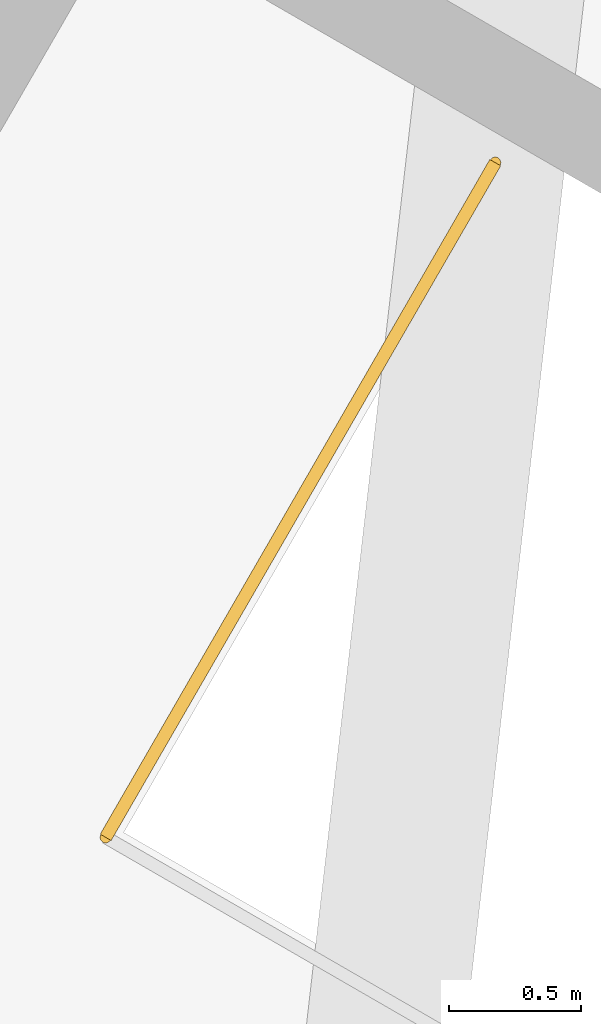
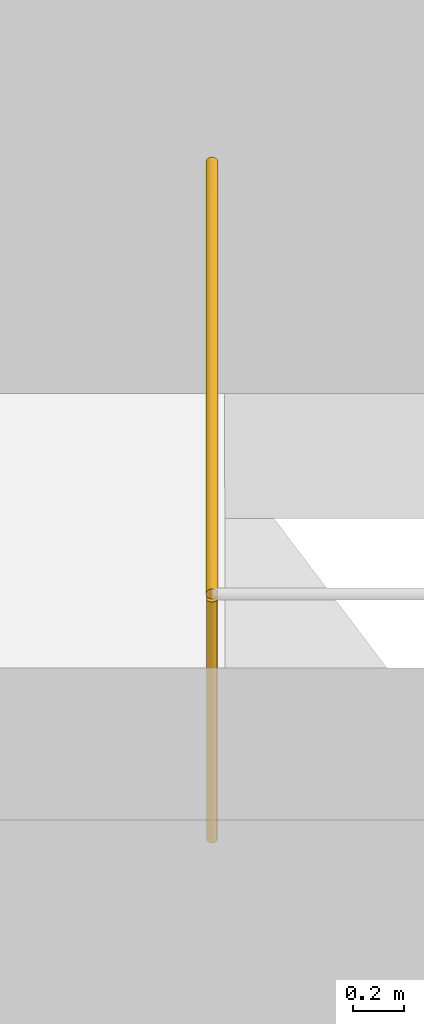
# One storey, part 7 of 7: 1 railing.
"""IFC4 building model written with IfcOpenShell, lengths in metres."""

from ifc_helpers import new_model, si_unit, direction, frame, origin, origin_2d, place, context, subcontext, project, spatial, circle, extrude, material, type_object, element, save


model = new_model("IFC4")

# Units and contexts
model_context = context("Model", 3, precision=1e-05, world=origin(), true_north=direction((0.0, 1.0)))
body_context = subcontext(model_context, "Body", "Model", "MODEL_VIEW")
ifc_project = project(units=[si_unit("LENGTHUNIT", "METRE"), si_unit("AREAUNIT", "SQUARE_METRE"), si_unit("VOLUMEUNIT", "CUBIC_METRE"), si_unit("PLANEANGLEUNIT", "RADIAN"), si_unit("MASSUNIT", "GRAM", prefix="KILO")], contexts=[model_context])

# Site, building, storey
site_placement = place(None, origin())
site = spatial("IfcSite", under=ifc_project, at=site_placement, CompositionType="ELEMENT")
building_placement = place(site_placement, origin())
building = spatial("IfcBuilding", under=site, at=building_placement, Name="Fogline Exchange Tower", CompositionType="ELEMENT")
storey_placement = place(building_placement, frame((0.0, 0.0, 350.10009765625)))
storey = spatial("IfcBuildingStorey", under=building, at=storey_placement, Name="L79", CompositionType="ELEMENT", Elevation=350.10009765625)

# Railing
ifc_material = material(Name="Stainless steel 304", Category="steel")
railing_type = type_object("IfcRailingType", Name="G1", PredefinedType="GUARDRAIL", material=ifc_material)
railing_placement = place(storey_placement, frame((16.05859375, 6.201416015625, 0.0)))
element("IfcRailing", 1, at=railing_placement, inside=storey, type_object=railing_type, Name="Guard L79 terrace", PredefinedType="GUARDRAIL", context=body_context, shape_type="SweptSolid", body=[
    extrude(circle(Radius=0.02392578125, at=origin_2d()), frame((0.0, 0.0, 1.17578125), z_axis=(-0.500037662692, -0.866003658127, 0.0), x_axis=(0.866003658127, -0.500037662692, 0.0)), (0.0, 0.0, 1.0), 2.949951171875),
    extrude(circle(Radius=0.02099609375, at=origin_2d()), origin(), (0.0, 0.0, 1.0), 1.15185546875),
    extrude(circle(Radius=0.02099609375, at=origin_2d()), frame((-0.49169921875, -0.8515625, 0.0)), (0.0, 0.0, 1.0), 1.15185546875),
    extrude(circle(Radius=0.02099609375, at=origin_2d()), frame((-0.9833984375, -1.703125, 0.0)), (0.0, 0.0, 1.0), 1.15185546875),
    extrude(circle(Radius=0.02099609375, at=origin_2d()), frame((-1.47509765625, -2.5546875, 0.0)), (0.0, 0.0, 1.0), 1.15185546875),
])

save(model, "model.ifc")
